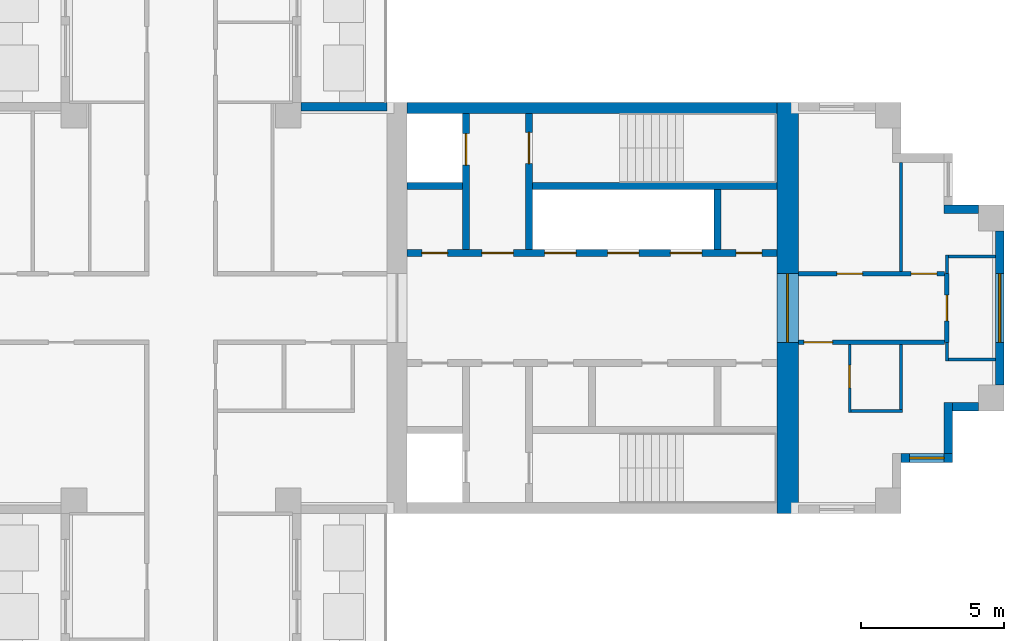
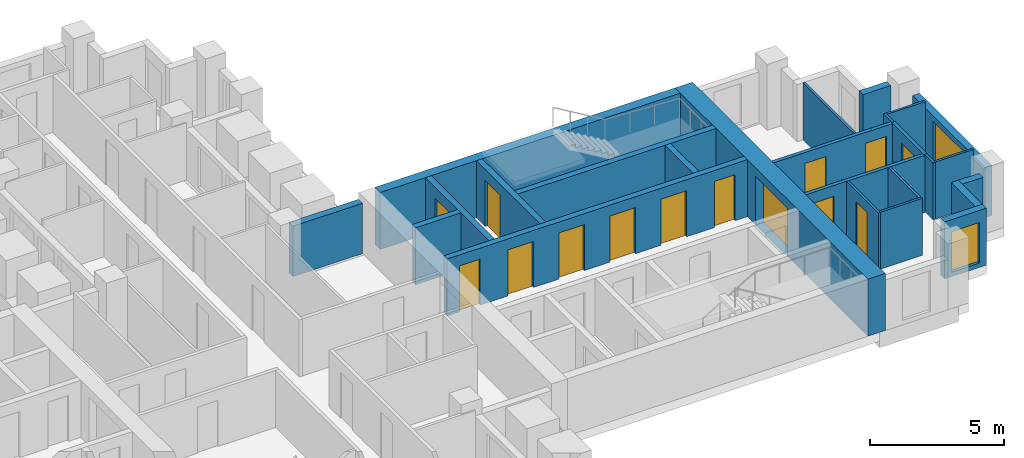
# One storey, part 6 of 10: 25 walls, 14 doors, 2 windows, 16 openings.
"""IFC4 building model written with IfcOpenShell, lengths in metres."""

from ifc_helpers import new_model, si_unit, direction, frame, frame_2d, origin, place, context, subcontext, project, spatial, rectangle, extrude, material, layer, layer_set, type_object, element, fill, save


model = new_model("IFC4")

# Units and contexts
model_context = context("Model", 3, precision=1e-05, world=origin(), true_north=direction((0.0, 1.0)))
body_context = subcontext(model_context, "Body", "Model", "MODEL_VIEW")
ifc_project = project(units=[si_unit("LENGTHUNIT", "METRE"), si_unit("AREAUNIT", "SQUARE_METRE"), si_unit("VOLUMEUNIT", "CUBIC_METRE"), si_unit("PLANEANGLEUNIT", "RADIAN"), si_unit("MASSUNIT", "GRAM", prefix="KILO")], contexts=[model_context])

# Site, building, storey
site_placement = place(None, origin())
site = spatial("IfcSite", under=ifc_project, at=site_placement, CompositionType="ELEMENT")
building_placement = place(site_placement, origin())
building = spatial("IfcBuilding", under=site, at=building_placement, Name="Fustian Cross Tower", CompositionType="ELEMENT")
storey_placement = place(building_placement, frame((0.0, 0.0, 213.89990234375)))
storey = spatial("IfcBuildingStorey", under=building, at=storey_placement, Name="L67", CompositionType="ELEMENT", Elevation=213.89990234375)

# Wall, opening, door
ifc_material_1 = material(Name="Plasterboard on steel stud", Category="steel")
ifc_layer_1 = layer(ifc_material_1, 0.14990234375)
ifc_layer_set_1 = layer_set([ifc_layer_1], Name="Plasterboard on steel stud")
wall_type_1 = type_object("IfcWallType", Name="COMPARTMENT WALL 150 EI 60", PredefinedType="PARTITIONING", material=ifc_layer_set_1)
wall_1_placement = place(storey_placement, frame((21.60009765625, -1.199951171875, 0.0), z_axis=(0.0, 0.0, 1.0), x_axis=(1.0, 0.0, 0.0)))
wall_1 = element("IfcWall", 1, at=wall_1_placement, inside=storey, type_object=wall_type_1, Name="Partition 52", PredefinedType="PARTITIONING", context=body_context, shape_type="SweptSolid", body=[
    extrude(rectangle(XDim=5.125, YDim=0.14990234375, at=frame_2d((2.5625, 0.0))), origin(), (0.0, 0.0, 1.0), 2.60009765625),
])
opening_1_placement = place(wall_1_placement, frame((0.199951171875, 0.0, 0.0)))
opening_1 = element("IfcOpeningElement", 2, at=opening_1_placement, cuts=wall_1, Name="Opening D30014", PredefinedType="OPENING", context=body_context, shape_type="SweptSolid", body=[
    extrude(rectangle(XDim=1.0, YDim=2.10009765625, at=frame_2d((0.5, 1.050048828125))), frame((0.0, 0.0849609375, 0.0), z_axis=(0.0, -1.0, 0.0), x_axis=(1.0, 0.0, 0.0)), (0.0, 0.0, 1.0), 0.169921875),
])
ifc_material_2 = material(Name="Timber fire door set", Category="wood")
door_type_1 = type_object("IfcDoorType", Name="FIRE SWING DOOR 1000 FD30S", OperationType="SINGLE_SWING_LEFT", PredefinedType="DOOR", material=ifc_material_2)
door_1_placement = place(opening_1_placement, frame((1.0, 0.0, 0.0), z_axis=(0.0, 0.0, 1.0), x_axis=(-1.0, 0.0, 0.0)))
door_1 = element("IfcDoor", 3, at=door_1_placement, inside=storey, type_object=door_type_1, Name="Door D30014", OperationType="SINGLE_SWING_RIGHT", OverallHeight=2.10009765625, OverallWidth=1.0, PredefinedType="DOOR", context=body_context, shape_type="SweptSolid", body=[
    extrude(rectangle(XDim=1.0, YDim=2.10009765625, at=frame_2d((0.5, 1.050048828125))), frame((0.0, 0.02490234375, 0.0), z_axis=(0.0, -1.0, 0.0), x_axis=(1.0, 0.0, 0.0)), (0.0, 0.0, 1.0), 0.050048828125),
])
fill(opening_1, door_1)

# Wall, openings, doors
wall_2_placement = place(storey_placement, frame((21.60009765625, 1.199951171875, 0.0), z_axis=(0.0, 0.0, 1.0), x_axis=(1.0, 0.0, 0.0)))
wall_2 = element("IfcWall", 4, at=wall_2_placement, inside=storey, type_object=wall_type_1, Name="Partition 53", PredefinedType="PARTITIONING", context=body_context, shape_type="SweptSolid", body=[
    extrude(rectangle(XDim=5.125, YDim=0.14990234375, at=frame_2d((2.5625, 0.0))), origin(), (0.0, 0.0, 1.0), 2.60009765625),
])
opening_2_placement = place(wall_2_placement, frame((1.35009765625, 0.0, 0.0)))
opening_2 = element("IfcOpeningElement", 5, at=opening_2_placement, cuts=wall_2, Name="Opening D30011", PredefinedType="OPENING", context=body_context, shape_type="SweptSolid", body=[
    extrude(rectangle(XDim=0.89990234375, YDim=2.10009765625, at=frame_2d((0.449951171875, 1.050048828125))), frame((0.0, 0.0849609375, 0.0), z_axis=(0.0, -1.0, 0.0), x_axis=(1.0, 0.0, 0.0)), (0.0, 0.0, 1.0), 0.169921875),
])
opening_3_placement = place(wall_2_placement, frame((3.949951171875, 0.0, 0.0)))
opening_3 = element("IfcOpeningElement", 6, at=opening_3_placement, cuts=wall_2, Name="Opening D30012", PredefinedType="OPENING", context=body_context, shape_type="SweptSolid", body=[
    extrude(rectangle(XDim=0.89990234375, YDim=2.10009765625, at=frame_2d((0.449951171875, 1.050048828125))), frame((0.0, 0.0849609375, 0.0), z_axis=(0.0, -1.0, 0.0), x_axis=(1.0, 0.0, 0.0)), (0.0, 0.0, 1.0), 0.169921875),
])
ifc_material_3 = material(Name="Timber fire door set", Category="wood")
door_type_2 = type_object("IfcDoorType", Name="FIRE SWING DOOR 900 FD30S", OperationType="SINGLE_SWING_LEFT", PredefinedType="DOOR", material=ifc_material_3)
door_2_placement = place(opening_2_placement, origin())
door_2 = element("IfcDoor", 7, at=door_2_placement, inside=storey, type_object=door_type_2, Name="Door D30011", OperationType="SINGLE_SWING_LEFT", OverallHeight=2.10009765625, OverallWidth=0.89990234375, PredefinedType="DOOR", context=body_context, shape_type="SweptSolid", body=[
    extrude(rectangle(XDim=0.89990234375, YDim=2.10009765625, at=frame_2d((0.449951171875, 1.050048828125))), frame((0.0, 0.02490234375, 0.0), z_axis=(0.0, -1.0, 0.0), x_axis=(1.0, 0.0, 0.0)), (0.0, 0.0, 1.0), 0.050048828125),
])
fill(opening_2, door_2)
door_3_placement = place(opening_3_placement, origin())
door_3 = element("IfcDoor", 8, at=door_3_placement, inside=storey, type_object=door_type_2, Name="Door D30012", OperationType="SINGLE_SWING_LEFT", OverallHeight=2.10009765625, OverallWidth=0.89990234375, PredefinedType="DOOR", context=body_context, shape_type="SweptSolid", body=[
    extrude(rectangle(XDim=0.89990234375, YDim=2.10009765625, at=frame_2d((0.449951171875, 1.050048828125))), frame((0.0, 0.02490234375, 0.0), z_axis=(0.0, -1.0, 0.0), x_axis=(1.0, 0.0, 0.0)), (0.0, 0.0, 1.0), 0.050048828125),
])
fill(opening_3, door_3)

# Wall, opening, door
wall_3_placement = place(storey_placement, frame((26.800048828125, -1.199951171875, 0.0), z_axis=(0.0, 0.0, 1.0), x_axis=(0.0, 1.0, 0.0)))
wall_3 = element("IfcWall", 9, at=wall_3_placement, inside=storey, type_object=wall_type_1, Name="Partition 60", PredefinedType="PARTITIONING", context=body_context, shape_type="SweptSolid", body=[
    extrude(rectangle(XDim=2.39990234375, YDim=0.14990234375, at=frame_2d((1.199951171875, 0.0))), origin(), (0.0, 0.0, 1.0), 2.60009765625),
])
opening_4_placement = place(wall_3_placement, frame((0.75, 0.0, 0.0)))
opening_4 = element("IfcOpeningElement", 10, at=opening_4_placement, cuts=wall_3, Name="Opening D30010", PredefinedType="OPENING", context=body_context, shape_type="SweptSolid", body=[
    extrude(rectangle(XDim=0.89990234375, YDim=2.10009765625, at=frame_2d((0.449951171875, 1.050048828125))), frame((0.0, 0.0849609375, 0.0), z_axis=(0.0, -1.0, 0.0), x_axis=(1.0, 0.0, 0.0)), (0.0, 0.0, 1.0), 0.169921875),
])
door_4_placement = place(opening_4_placement, frame((0.89990234375, 0.0, 0.0), z_axis=(0.0, 0.0, 1.0), x_axis=(-1.0, 0.0, 0.0)))
door_4 = element("IfcDoor", 11, at=door_4_placement, inside=storey, type_object=door_type_2, Name="Door D30010", OperationType="SINGLE_SWING_RIGHT", OverallHeight=2.10009765625, OverallWidth=0.89990234375, PredefinedType="DOOR", context=body_context, shape_type="SweptSolid", body=[
    extrude(rectangle(XDim=0.89990234375, YDim=2.10009765625, at=frame_2d((0.449951171875, 1.050048828125))), frame((0.0, 0.02490234375, 0.0), z_axis=(0.0, -1.0, 0.0), x_axis=(1.0, 0.0, 0.0)), (0.0, 0.0, 1.0), 0.050048828125),
])
fill(opening_4, door_4)

ifc_material_4 = material(Name="Concrete C50/60", Category="concrete")
ifc_layer_2 = layer(ifc_material_4, 0.75)
ifc_layer_set_2 = layer_set([ifc_layer_2], Name="Concrete C50/60")
wall_type_2 = type_object("IfcWallType", Name="CORE END WALL 750 C50/60", PredefinedType="SHEAR", material=ifc_layer_set_2)
wall_4_placement = place(storey_placement, frame((21.22509765625, -7.199951171875, 0.0), z_axis=(0.0, 0.0, 1.0), x_axis=(0.0, 1.0, 0.0)))
wall_4 = element("IfcWall", 12, at=wall_4_placement, inside=storey, type_object=wall_type_2, Name="Core end wall", PredefinedType="SHEAR", context=body_context, shape_type="SweptSolid", body=[
    extrude(rectangle(XDim=14.39990234375, YDim=0.75, at=frame_2d((7.199951171875, 0.0))), origin(), (0.0, 0.0, 1.0), 2.60009765625),
])
opening_5_placement = place(wall_4_placement, frame((6.0, 0.0, 0.0)))
opening_5 = element("IfcOpeningElement", 13, at=opening_5_placement, cuts=wall_4, Name="Opening CD-28-13", PredefinedType="OPENING", context=body_context, shape_type="SweptSolid", body=[
    extrude(rectangle(XDim=2.39990234375, YDim=2.199951171875, at=frame_2d((1.199951171875, 1.10009765625))), frame((0.0, 0.385009765625, 0.0), z_axis=(0.0, -1.0, 0.0), x_axis=(1.0, 0.0, 0.0)), (0.0, 0.0, 1.0), 0.77001953125),
])
ifc_material_5 = material(Name="Steel", Category="steel")
door_type_3 = type_object("IfcDoorType", Name="FIRE DOOR FD30S DOUBLE 2400X2200", OperationType="DOUBLE_DOOR_DOUBLE_SWING", PredefinedType="DOOR", material=ifc_material_5)
door_5_placement = place(opening_5_placement, origin())
door_5 = element("IfcDoor", 14, at=door_5_placement, inside=storey, type_object=door_type_3, Name="Core door CD-28-13", OperationType="DOUBLE_DOOR_DOUBLE_SWING", OverallHeight=2.199951171875, OverallWidth=2.39990234375, PredefinedType="DOOR", context=body_context, shape_type="SweptSolid", body=[
    extrude(rectangle(XDim=2.39990234375, YDim=2.199951171875, at=frame_2d((1.199951171875, 1.10009765625))), frame((0.0, 0.02490234375, 0.0), z_axis=(0.0, -1.0, 0.0), x_axis=(1.0, 0.0, 0.0)), (0.0, 0.0, 1.0), 0.050048828125),
])
fill(opening_5, door_5)

# Wall
ifc_material_6 = material(Name="Concrete C50/60", Category="concrete")
ifc_layer_3 = layer(ifc_material_6, 0.39990234375)
ifc_layer_set_3 = layer_set([ifc_layer_3], Name="Concrete C50/60")
wall_type_3 = type_object("IfcWallType", Name="CORE FACADE WALL 400 C50/60", PredefinedType="SHEAR", material=ifc_layer_set_3)
wall_5_placement = place(storey_placement, frame((7.89990234375, 7.0, 0.0), z_axis=(0.0, 0.0, 1.0), x_axis=(1.0, 0.0, 0.0)))
element("IfcWall", 15, at=wall_5_placement, inside=storey, type_object=wall_type_3, Name="Core facade wall", PredefinedType="SHEAR", context=body_context, shape_type="SweptSolid", body=[
    extrude(rectangle(XDim=12.9501953125, YDim=0.39990234375, at=frame_2d((6.47509765625, 0.0))), origin(), (0.0, 0.0, 1.0), 2.60009765625),
])

# Wall, openings, doors
ifc_material_7 = material(Name="Concrete C50/60", Category="concrete")
ifc_layer_4 = layer(ifc_material_7, 0.25)
ifc_layer_set_4 = layer_set([ifc_layer_4], Name="Concrete C50/60")
wall_type_4 = type_object("IfcWallType", Name="CORE LOBBY WALL 250 C50/60", PredefinedType="SHEAR", material=ifc_layer_set_4)
wall_6_placement = place(storey_placement, frame((7.89990234375, 1.925048828125, 0.0), z_axis=(0.0, 0.0, 1.0), x_axis=(1.0, 0.0, 0.0)))
wall_6 = element("IfcWall", 16, at=wall_6_placement, inside=storey, type_object=wall_type_4, Name="Core lobby wall", PredefinedType="SHEAR", context=body_context, shape_type="SweptSolid", body=[
    extrude(rectangle(XDim=12.9501953125, YDim=0.25, at=frame_2d((6.47509765625, 0.0))), origin(), (0.0, 0.0, 1.0), 2.60009765625),
])
opening_6_placement = place(wall_6_placement, frame((4.824951171875, 0.0, 0.0)))
opening_6 = element("IfcOpeningElement", 17, at=opening_6_placement, cuts=wall_6, Name="Opening LD", PredefinedType="OPENING", context=body_context, shape_type="SweptSolid", body=[
    extrude(rectangle(XDim=1.10009765625, YDim=2.10009765625, at=frame_2d((0.550048828125, 1.050048828125))), frame((0.0, 0.135009765625, 0.0), z_axis=(0.0, -1.0, 0.0), x_axis=(1.0, 0.0, 0.0)), (0.0, 0.0, 1.0), 0.27001953125),
])
opening_7_placement = place(wall_6_placement, frame((7.02490234375, 0.0, 0.0)))
opening_7 = element("IfcOpeningElement", 18, at=opening_7_placement, cuts=wall_6, Name="Opening LD", PredefinedType="OPENING", context=body_context, shape_type="SweptSolid", body=[
    extrude(rectangle(XDim=1.10009765625, YDim=2.10009765625, at=frame_2d((0.550048828125, 1.050048828125))), frame((0.0, 0.135009765625, 0.0), z_axis=(0.0, -1.0, 0.0), x_axis=(1.0, 0.0, 0.0)), (0.0, 0.0, 1.0), 0.27001953125),
])
opening_8_placement = place(wall_6_placement, frame((9.22509765625, 0.0, 0.0)))
opening_8 = element("IfcOpeningElement", 19, at=opening_8_placement, cuts=wall_6, Name="Opening LD", PredefinedType="OPENING", context=body_context, shape_type="SweptSolid", body=[
    extrude(rectangle(XDim=1.10009765625, YDim=2.10009765625, at=frame_2d((0.550048828125, 1.050048828125))), frame((0.0, 0.135009765625, 0.0), z_axis=(0.0, -1.0, 0.0), x_axis=(1.0, 0.0, 0.0)), (0.0, 0.0, 1.0), 0.27001953125),
])
opening_9_placement = place(wall_6_placement, frame((0.52490234375, 0.0, 0.0)))
opening_9 = element("IfcOpeningElement", 20, at=opening_9_placement, cuts=wall_6, Name="Opening CD-28-08", PredefinedType="OPENING", context=body_context, shape_type="SweptSolid", body=[
    extrude(rectangle(XDim=0.89990234375, YDim=2.10009765625, at=frame_2d((0.449951171875, 1.050048828125))), frame((0.0, 0.135009765625, 0.0), z_axis=(0.0, -1.0, 0.0), x_axis=(1.0, 0.0, 0.0)), (0.0, 0.0, 1.0), 0.27001953125),
])
opening_10_placement = place(wall_6_placement, frame((2.625, 0.0, 0.0)))
opening_10 = element("IfcOpeningElement", 21, at=opening_10_placement, cuts=wall_6, Name="Opening CD-28-10", PredefinedType="OPENING", context=body_context, shape_type="SweptSolid", body=[
    extrude(rectangle(XDim=1.10009765625, YDim=2.10009765625, at=frame_2d((0.550048828125, 1.050048828125))), frame((0.0, 0.135009765625, 0.0), z_axis=(0.0, -1.0, 0.0), x_axis=(1.0, 0.0, 0.0)), (0.0, 0.0, 1.0), 0.27001953125),
])
opening_11_placement = place(wall_6_placement, frame((11.52490234375, 0.0, 0.0)))
opening_11 = element("IfcOpeningElement", 22, at=opening_11_placement, cuts=wall_6, Name="Opening CD-28-14", PredefinedType="OPENING", context=body_context, shape_type="SweptSolid", body=[
    extrude(rectangle(XDim=0.89990234375, YDim=2.10009765625, at=frame_2d((0.449951171875, 1.050048828125))), frame((0.0, 0.135009765625, 0.0), z_axis=(0.0, -1.0, 0.0), x_axis=(1.0, 0.0, 0.0)), (0.0, 0.0, 1.0), 0.27001953125),
])
ifc_material_8 = material(Name="Steel", Category="steel")
door_type_4 = type_object("IfcDoorType", Name="FIRE DOOR FD30S 900X2100", OperationType="SINGLE_SWING_LEFT", PredefinedType="DOOR", material=ifc_material_8)
door_6_placement = place(opening_11_placement, origin())
door_6 = element("IfcDoor", 23, at=door_6_placement, inside=storey, type_object=door_type_4, Name="Core door CD-28-14", OperationType="SINGLE_SWING_LEFT", OverallHeight=2.10009765625, OverallWidth=0.89990234375, PredefinedType="DOOR", context=body_context, shape_type="SweptSolid", body=[
    extrude(rectangle(XDim=0.89990234375, YDim=2.10009765625, at=frame_2d((0.449951171875, 1.050048828125))), frame((0.0, 0.02490234375, 0.0), z_axis=(0.0, -1.0, 0.0), x_axis=(1.0, 0.0, 0.0)), (0.0, 0.0, 1.0), 0.050048828125),
])
fill(opening_11, door_6)
ifc_material_9 = material(Name="Steel", Category="steel")
door_type_5 = type_object("IfcDoorType", Name="FIRE DOOR FD60S 1100X2100", OperationType="SINGLE_SWING_LEFT", PredefinedType="DOOR", material=ifc_material_9)
door_7_placement = place(opening_10_placement, frame((1.10009765625, 0.0, 0.0), z_axis=(0.0, 0.0, 1.0), x_axis=(-1.0, 0.0, 0.0)))
door_7 = element("IfcDoor", 24, at=door_7_placement, inside=storey, type_object=door_type_5, Name="Core door CD-28-10", OperationType="SINGLE_SWING_RIGHT", OverallHeight=2.10009765625, OverallWidth=1.10009765625, PredefinedType="DOOR", context=body_context, shape_type="SweptSolid", body=[
    extrude(rectangle(XDim=1.10009765625, YDim=2.10009765625, at=frame_2d((0.550048828125, 1.050048828125))), frame((0.0, 0.02490234375, 0.0), z_axis=(0.0, -1.0, 0.0), x_axis=(1.0, 0.0, 0.0)), (0.0, 0.0, 1.0), 0.050048828125),
])
fill(opening_10, door_7)
ifc_material_10 = material(Name="Steel", Category="steel")
door_type_6 = type_object("IfcDoorType", Name="FIRE DOOR FD60S 900X2100", OperationType="SINGLE_SWING_LEFT", PredefinedType="DOOR", material=ifc_material_10)
door_8_placement = place(opening_9_placement, origin())
door_8 = element("IfcDoor", 25, at=door_8_placement, inside=storey, type_object=door_type_6, Name="Core door CD-28-08", OperationType="SINGLE_SWING_LEFT", OverallHeight=2.10009765625, OverallWidth=0.89990234375, PredefinedType="DOOR", context=body_context, shape_type="SweptSolid", body=[
    extrude(rectangle(XDim=0.89990234375, YDim=2.10009765625, at=frame_2d((0.449951171875, 1.050048828125))), frame((0.0, 0.02490234375, 0.0), z_axis=(0.0, -1.0, 0.0), x_axis=(1.0, 0.0, 0.0)), (0.0, 0.0, 1.0), 0.050048828125),
])
fill(opening_9, door_8)
ifc_material_11 = material(Name="Stainless steel", Category="steel")
door_type_7 = type_object("IfcDoorType", Name="LIFT LANDING DOOR 1100X2100", OperationType="SLIDING_TO_LEFT", PredefinedType="DOOR", material=ifc_material_11)
door_9_placement = place(opening_6_placement, origin())
door_9 = element("IfcDoor", 26, at=door_9_placement, inside=storey, type_object=door_type_7, Name="Landing door HR1", OperationType="SLIDING_TO_LEFT", OverallHeight=2.10009765625, OverallWidth=1.10009765625, PredefinedType="DOOR", context=body_context, shape_type="SweptSolid", body=[
    extrude(rectangle(XDim=1.10009765625, YDim=2.10009765625, at=frame_2d((0.550048828125, 1.050048828125))), frame((0.0, 0.02490234375, 0.0), z_axis=(0.0, -1.0, 0.0), x_axis=(1.0, 0.0, 0.0)), (0.0, 0.0, 1.0), 0.050048828125),
])
fill(opening_6, door_9)
door_10_placement = place(opening_7_placement, origin())
door_10 = element("IfcDoor", 27, at=door_10_placement, inside=storey, type_object=door_type_7, Name="Landing door HR2", OperationType="SLIDING_TO_LEFT", OverallHeight=2.10009765625, OverallWidth=1.10009765625, PredefinedType="DOOR", context=body_context, shape_type="SweptSolid", body=[
    extrude(rectangle(XDim=1.10009765625, YDim=2.10009765625, at=frame_2d((0.550048828125, 1.050048828125))), frame((0.0, 0.02490234375, 0.0), z_axis=(0.0, -1.0, 0.0), x_axis=(1.0, 0.0, 0.0)), (0.0, 0.0, 1.0), 0.050048828125),
])
fill(opening_7, door_10)
door_11_placement = place(opening_8_placement, origin())
door_11 = element("IfcDoor", 28, at=door_11_placement, inside=storey, type_object=door_type_7, Name="Landing door HR3", OperationType="SLIDING_TO_LEFT", OverallHeight=2.10009765625, OverallWidth=1.10009765625, PredefinedType="DOOR", context=body_context, shape_type="SweptSolid", body=[
    extrude(rectangle(XDim=1.10009765625, YDim=2.10009765625, at=frame_2d((0.550048828125, 1.050048828125))), frame((0.0, 0.02490234375, 0.0), z_axis=(0.0, -1.0, 0.0), x_axis=(1.0, 0.0, 0.0)), (0.0, 0.0, 1.0), 0.050048828125),
])
fill(opening_8, door_11)

# Walls
ifc_material_12 = material(Name="Concrete C50/60", Category="concrete")
ifc_layer_5 = layer(ifc_material_12, 0.25)
ifc_layer_set_5 = layer_set([ifc_layer_5], Name="Concrete C50/60")
wall_type_5 = type_object("IfcWallType", Name="CORE SHAFT WALL 250 C50/60", PredefinedType="SHEAR", material=ifc_layer_set_5)
wall_7_placement = place(storey_placement, frame((7.89990234375, 4.27490234375, 0.0), z_axis=(0.0, 0.0, 1.0), x_axis=(1.0, 0.0, 0.0)))
element("IfcWall", 29, at=wall_7_placement, inside=storey, type_object=wall_type_5, Name="Core shaft wall", PredefinedType="SHEAR", context=body_context, shape_type="SweptSolid", body=[
    extrude(rectangle(XDim=1.9501953125, YDim=0.25, at=frame_2d((0.97509765625, 0.0))), origin(), (0.0, 0.0, 1.0), 2.60009765625),
])
wall_8_placement = place(storey_placement, frame((12.300048828125, 4.27490234375, 0.0), z_axis=(0.0, 0.0, 1.0), x_axis=(1.0, 0.0, 0.0)))
element("IfcWall", 30, at=wall_8_placement, inside=storey, type_object=wall_type_5, Name="Core shaft wall", PredefinedType="SHEAR", context=body_context, shape_type="SweptSolid", body=[
    extrude(rectangle(XDim=8.550048828125, YDim=0.25, at=frame_2d((4.27490234375, 0.0))), origin(), (0.0, 0.0, 1.0), 2.60009765625),
])

# Wall, opening, door
wall_9_placement = place(storey_placement, frame((9.97509765625, 2.050048828125, 0.0), z_axis=(0.0, 0.0, 1.0), x_axis=(0.0, 1.0, 0.0)))
wall_9 = element("IfcWall", 31, at=wall_9_placement, inside=storey, type_object=wall_type_5, Name="Core shaft wall", PredefinedType="SHEAR", context=body_context, shape_type="SweptSolid", body=[
    extrude(rectangle(XDim=4.75, YDim=0.25, at=frame_2d((2.375, 0.0))), origin(), (0.0, 0.0, 1.0), 2.60009765625),
])
opening_12_placement = place(wall_9_placement, frame((2.949951171875, 0.0, 0.0)))
opening_12 = element("IfcOpeningElement", 32, at=opening_12_placement, cuts=wall_9, Name="Opening LD", PredefinedType="OPENING", context=body_context, shape_type="SweptSolid", body=[
    extrude(rectangle(XDim=1.10009765625, YDim=2.10009765625, at=frame_2d((0.550048828125, 1.050048828125))), frame((0.0, 0.135009765625, 0.0), z_axis=(0.0, -1.0, 0.0), x_axis=(1.0, 0.0, 0.0)), (0.0, 0.0, 1.0), 0.27001953125),
])
door_12_placement = place(opening_12_placement, origin())
door_12 = element("IfcDoor", 33, at=door_12_placement, inside=storey, type_object=door_type_7, Name="Landing door FL1", OperationType="SLIDING_TO_LEFT", OverallHeight=2.10009765625, OverallWidth=1.10009765625, PredefinedType="DOOR", context=body_context, shape_type="SweptSolid", body=[
    extrude(rectangle(XDim=1.10009765625, YDim=2.10009765625, at=frame_2d((0.550048828125, 1.050048828125))), frame((0.0, 0.02490234375, 0.0), z_axis=(0.0, -1.0, 0.0), x_axis=(1.0, 0.0, 0.0)), (0.0, 0.0, 1.0), 0.050048828125),
])
fill(opening_12, door_12)

wall_10_placement = place(storey_placement, frame((12.175048828125, 2.050048828125, 0.0), z_axis=(0.0, 0.0, 1.0), x_axis=(0.0, 1.0, 0.0)))
wall_10 = element("IfcWall", 34, at=wall_10_placement, inside=storey, type_object=wall_type_5, Name="Core shaft wall", PredefinedType="SHEAR", context=body_context, shape_type="SweptSolid", body=[
    extrude(rectangle(XDim=4.75, YDim=0.25, at=frame_2d((2.375, 0.0))), origin(), (0.0, 0.0, 1.0), 2.60009765625),
])
opening_13_placement = place(wall_10_placement, frame((3.0, 0.0, 0.0)))
opening_13 = element("IfcOpeningElement", 35, at=opening_13_placement, cuts=wall_10, Name="Opening CD-28-06", PredefinedType="OPENING", context=body_context, shape_type="SweptSolid", body=[
    extrude(rectangle(XDim=1.10009765625, YDim=2.10009765625, at=frame_2d((0.550048828125, 1.050048828125))), frame((0.0, 0.135009765625, 0.0), z_axis=(0.0, -1.0, 0.0), x_axis=(1.0, 0.0, 0.0)), (0.0, 0.0, 1.0), 0.27001953125),
])
door_13_placement = place(opening_13_placement, frame((1.10009765625, 0.0, 0.0), z_axis=(0.0, 0.0, 1.0), x_axis=(-1.0, 0.0, 0.0)))
door_13 = element("IfcDoor", 36, at=door_13_placement, inside=storey, type_object=door_type_5, Name="Core door CD-28-06", OperationType="SINGLE_SWING_RIGHT", OverallHeight=2.10009765625, OverallWidth=1.10009765625, PredefinedType="DOOR", context=body_context, shape_type="SweptSolid", body=[
    extrude(rectangle(XDim=1.10009765625, YDim=2.10009765625, at=frame_2d((0.550048828125, 1.050048828125))), frame((0.0, 0.02490234375, 0.0), z_axis=(0.0, -1.0, 0.0), x_axis=(1.0, 0.0, 0.0)), (0.0, 0.0, 1.0), 0.050048828125),
])
fill(opening_13, door_13)

ifc_material_13 = material(Name="Plasterboard on steel stud", Category="steel")
ifc_layer_6 = layer(ifc_material_13, 0.10009765625)
ifc_layer_set_6 = layer_set([ifc_layer_6], Name="Plasterboard on steel stud")
wall_type_6 = type_object("IfcWallType", Name="PARTITION 100 STUD", PredefinedType="PARTITIONING", material=ifc_layer_set_6)
wall_11_placement = place(storey_placement, frame((23.39990234375, -3.64990234375, 0.0), z_axis=(0.0, 0.0, 1.0), x_axis=(0.0, 1.0, 0.0)))
wall_11 = element("IfcWall", 37, at=wall_11_placement, inside=storey, type_object=wall_type_6, Name="Partition 54", PredefinedType="PARTITIONING", context=body_context, shape_type="SweptSolid", body=[
    extrude(rectangle(XDim=2.375, YDim=0.10009765625, at=frame_2d((1.1875, 0.0))), origin(), (0.0, 0.0, 1.0), 2.60009765625),
])
opening_14_placement = place(wall_11_placement, frame((0.85009765625, 0.0, 0.0)))
opening_14 = element("IfcOpeningElement", 38, at=opening_14_placement, cuts=wall_11, Name="Opening D30013", PredefinedType="OPENING", context=body_context, shape_type="SweptSolid", body=[
    extrude(rectangle(XDim=0.800048828125, YDim=2.10009765625, at=frame_2d((0.39990234375, 1.050048828125))), frame((0.0, 0.06005859375, 0.0), z_axis=(0.0, -1.0, 0.0), x_axis=(1.0, 0.0, 0.0)), (0.0, 0.0, 1.0), 0.1201171875),
])
ifc_material_14 = material(Name="Painted timber", Category="wood")
door_type_8 = type_object("IfcDoorType", Name="SWING DOOR 800", OperationType="SINGLE_SWING_LEFT", PredefinedType="DOOR", material=ifc_material_14)
door_14_placement = place(opening_14_placement, frame((0.800048828125, 0.0, 0.0), z_axis=(0.0, 0.0, 1.0), x_axis=(-1.0, 0.0, 0.0)))
door_14 = element("IfcDoor", 39, at=door_14_placement, inside=storey, type_object=door_type_8, Name="Door D30013", OperationType="SINGLE_SWING_RIGHT", OverallHeight=2.10009765625, OverallWidth=0.800048828125, PredefinedType="DOOR", context=body_context, shape_type="SweptSolid", body=[
    extrude(rectangle(XDim=0.800048828125, YDim=2.10009765625, at=frame_2d((0.39990234375, 1.050048828125))), frame((0.0, 0.02490234375, 0.0), z_axis=(0.0, -1.0, 0.0), x_axis=(1.0, 0.0, 0.0)), (0.0, 0.0, 1.0), 0.050048828125),
])
fill(opening_14, door_14)

# Walls
wall_12_placement = place(storey_placement, frame((23.449951171875, -3.60009765625, 0.0), z_axis=(0.0, 0.0, 1.0), x_axis=(1.0, 0.0, 0.0)))
element("IfcWall", 40, at=wall_12_placement, inside=storey, type_object=wall_type_6, Name="Partition 55", PredefinedType="PARTITIONING", context=body_context, shape_type="SweptSolid", body=[
    extrude(rectangle(XDim=1.800048828125, YDim=0.10009765625, at=frame_2d((0.89990234375, 0.0))), origin(), (0.0, 0.0, 1.0), 2.60009765625),
])
wall_13_placement = place(storey_placement, frame((25.199951171875, -3.550048828125, 0.0), z_axis=(0.0, 0.0, 1.0), x_axis=(0.0, 1.0, 0.0)))
element("IfcWall", 41, at=wall_13_placement, inside=storey, type_object=wall_type_6, Name="Partition 56", PredefinedType="PARTITIONING", context=body_context, shape_type="SweptSolid", body=[
    extrude(rectangle(XDim=2.275146484375, YDim=0.10009765625, at=frame_2d((1.1376953125, 0.0))), origin(), (0.0, 0.0, 1.0), 2.60009765625),
])
wall_14_placement = place(storey_placement, frame((25.199951171875, 1.27490234375, 0.0), z_axis=(0.0, 0.0, 1.0), x_axis=(0.0, 1.0, 0.0)))
element("IfcWall", 42, at=wall_14_placement, inside=storey, type_object=wall_type_6, Name="Partition 57", PredefinedType="PARTITIONING", context=body_context, shape_type="SweptSolid", body=[
    extrude(rectangle(XDim=3.8251953125, YDim=0.10009765625, at=frame_2d((1.91259765625, 0.0))), origin(), (0.0, 0.0, 1.0), 2.60009765625),
])
wall_15_placement = place(storey_placement, frame((26.800048828125, -1.85009765625, 0.0), z_axis=(0.0, 0.0, 1.0), x_axis=(0.0, 1.0, 0.0)))
element("IfcWall", 43, at=wall_15_placement, inside=storey, type_object=wall_type_6, Name="Partition 58", PredefinedType="PARTITIONING", context=body_context, shape_type="SweptSolid", body=[
    extrude(rectangle(XDim=0.650146484375, YDim=0.10009765625, at=frame_2d((0.3251953125, 0.0))), origin(), (0.0, 0.0, 1.0), 2.60009765625),
])
wall_16_placement = place(storey_placement, frame((26.85009765625, -1.800048828125, 0.0), z_axis=(0.0, 0.0, 1.0), x_axis=(1.0, 0.0, 0.0)))
element("IfcWall", 44, at=wall_16_placement, inside=storey, type_object=wall_type_6, Name="Partition 59", PredefinedType="PARTITIONING", context=body_context, shape_type="SweptSolid", body=[
    extrude(rectangle(XDim=1.64990234375, YDim=0.10009765625, at=frame_2d((0.824951171875, 0.0))), origin(), (0.0, 0.0, 1.0), 2.60009765625),
])
wall_17_placement = place(storey_placement, frame((26.800048828125, 1.199951171875, 0.0), z_axis=(0.0, 0.0, 1.0), x_axis=(0.0, 1.0, 0.0)))
element("IfcWall", 45, at=wall_17_placement, inside=storey, type_object=wall_type_6, Name="Partition 61", PredefinedType="PARTITIONING", context=body_context, shape_type="SweptSolid", body=[
    extrude(rectangle(XDim=0.650146484375, YDim=0.10009765625, at=frame_2d((0.3251953125, 0.0))), origin(), (0.0, 0.0, 1.0), 2.60009765625),
])
wall_18_placement = place(storey_placement, frame((26.85009765625, 1.800048828125, 0.0), z_axis=(0.0, 0.0, 1.0), x_axis=(1.0, 0.0, 0.0)))
element("IfcWall", 46, at=wall_18_placement, inside=storey, type_object=wall_type_6, Name="Partition 62", PredefinedType="PARTITIONING", context=body_context, shape_type="SweptSolid", body=[
    extrude(rectangle(XDim=1.64990234375, YDim=0.10009765625, at=frame_2d((0.824951171875, 0.0))), origin(), (0.0, 0.0, 1.0), 2.60009765625),
])
ifc_material_15 = material(Name="Concrete C40/50", Category="concrete")
ifc_layer_7 = layer(ifc_material_15, 0.25)
ifc_layer_set_7 = layer_set([ifc_layer_7], Name="Concrete C40/50")
wall_type_7 = type_object("IfcWallType", Name="SHAFT PARTITION WALL 250 C40/50", PredefinedType="PARTITIONING", material=ifc_layer_set_7)
wall_19_placement = place(storey_placement, frame((18.77490234375, 2.050048828125, 0.0), z_axis=(0.0, 0.0, 1.0), x_axis=(0.0, 1.0, 0.0)))
element("IfcWall", 47, at=wall_19_placement, inside=storey, type_object=wall_type_7, Name="Core shaft wall", PredefinedType="PARTITIONING", context=body_context, shape_type="SweptSolid", body=[
    extrude(rectangle(XDim=2.099853515625, YDim=0.25, at=frame_2d((1.0498046875, 0.0))), origin(), (0.0, 0.0, 1.0), 2.60009765625),
])

# Wall, opening, window
ifc_material_16 = material(Name="Dark aluminium cladding on insulated backing wall", Category="aluminium")
ifc_layer_8 = layer(ifc_material_16, 0.300048828125)
ifc_layer_set_8 = layer_set([ifc_layer_8], Name="Dark aluminium cladding on insulated backing wall")
wall_type_8 = type_object("IfcWallType", Name="XW1 EXTERNAL WALL 300", PredefinedType="SOLIDWALL", material=ifc_layer_set_8)
wall_20_placement = place(storey_placement, frame((25.199951171875, -5.25, 0.0), z_axis=(0.0, 0.0, 1.0), x_axis=(1.0, 0.0, 0.0)))
wall_20 = element("IfcWall", 48, at=wall_20_placement, inside=storey, type_object=wall_type_8, Name="External wall", PredefinedType="SOLIDWALL", context=body_context, shape_type="SweptSolid", body=[
    extrude(rectangle(XDim=1.800048828125, YDim=0.300048828125, at=frame_2d((0.89990234375, 0.0))), origin(), (0.0, 0.0, 1.0), 2.60009765625),
])
opening_15_placement = place(wall_20_placement, frame((0.300048828125, 0.0, 0.199951171875)))
opening_15 = element("IfcOpeningElement", 49, at=opening_15_placement, cuts=wall_20, Name="Opening WN3", PredefinedType="OPENING", context=body_context, shape_type="SweptSolid", body=[
    extrude(rectangle(XDim=1.199951171875, YDim=1.85009765625, at=frame_2d((0.60009765625, 0.925048828125))), frame((0.0, 0.159912109375, 0.0), z_axis=(0.0, -1.0, 0.0), x_axis=(1.0, 0.0, 0.0)), (0.0, 0.0, 1.0), 0.320068359375),
])
ifc_material_17 = material(Name="Dark anodised aluminium and double glazing", Category="aluminium")
window_type_1 = type_object("IfcWindowType", Name="WN3 WINDOW 1200X1850", PartitioningType="SINGLE_PANEL", PredefinedType="WINDOW", material=ifc_material_17)
window_1_placement = place(opening_15_placement, origin())
window_1 = element("IfcWindow", 50, at=window_1_placement, inside=storey, type_object=window_type_1, Name="Window", OverallHeight=1.85009765625, OverallWidth=1.199951171875, PartitioningType="SINGLE_PANEL", PredefinedType="WINDOW", context=body_context, shape_type="SweptSolid", body=[
    extrude(rectangle(XDim=1.199951171875, YDim=1.85009765625, at=frame_2d((0.60009765625, 0.925048828125))), frame((0.0, 0.030029296875, 0.0), z_axis=(0.0, -1.0, 0.0), x_axis=(1.0, 0.0, 0.0)), (0.0, 0.0, 1.0), 0.06005859375),
])
fill(opening_15, window_1)

# Walls
wall_21_placement = place(storey_placement, frame((26.85009765625, -5.10009765625, 0.0), z_axis=(0.0, 0.0, 1.0), x_axis=(0.0, 1.0, 0.0)))
element("IfcWall", 51, at=wall_21_placement, inside=storey, type_object=wall_type_8, Name="External wall", PredefinedType="SOLIDWALL", context=body_context, shape_type="SweptSolid", body=[
    extrude(rectangle(XDim=1.800048828125, YDim=0.300048828125, at=frame_2d((0.89990234375, 0.0))), origin(), (0.0, 0.0, 1.0), 2.60009765625),
])
wall_22_placement = place(storey_placement, frame((27.0, -3.449951171875, 0.0), z_axis=(0.0, 0.0, 1.0), x_axis=(1.0, 0.0, 0.0)))
element("IfcWall", 52, at=wall_22_placement, inside=storey, type_object=wall_type_8, Name="External wall", PredefinedType="SOLIDWALL", context=body_context, shape_type="SweptSolid", body=[
    extrude(rectangle(XDim=0.89990234375, YDim=0.300048828125, at=frame_2d((0.449951171875, 0.0))), origin(), (0.0, 0.0, 1.0), 2.60009765625),
])

# Wall, opening, window
wall_23_placement = place(storey_placement, frame((28.64990234375, -2.699951171875, 0.0), z_axis=(0.0, 0.0, 1.0), x_axis=(0.0, 1.0, 0.0)))
wall_23 = element("IfcWall", 53, at=wall_23_placement, inside=storey, type_object=wall_type_8, Name="External wall", PredefinedType="SOLIDWALL", context=body_context, shape_type="SweptSolid", body=[
    extrude(rectangle(XDim=5.39990234375, YDim=0.300048828125, at=frame_2d((2.699951171875, 0.0))), origin(), (0.0, 0.0, 1.0), 2.300048828125),
])
opening_16_placement = place(wall_23_placement, frame((1.5, 0.0, 0.199951171875)))
opening_16 = element("IfcOpeningElement", 54, at=opening_16_placement, cuts=wall_23, Name="Opening WN1", PredefinedType="OPENING", context=body_context, shape_type="SweptSolid", body=[
    extrude(rectangle(XDim=2.39990234375, YDim=1.85009765625, at=frame_2d((1.199951171875, 0.925048828125))), frame((0.0, 0.159912109375, 0.0), z_axis=(0.0, -1.0, 0.0), x_axis=(1.0, 0.0, 0.0)), (0.0, 0.0, 1.0), 0.320068359375),
])
ifc_material_18 = material(Name="Dark anodised aluminium and double glazing", Category="aluminium")
window_type_2 = type_object("IfcWindowType", Name="WN1 WINDOW 2400X1850", PartitioningType="SINGLE_PANEL", PredefinedType="WINDOW", material=ifc_material_18)
window_2_placement = place(opening_16_placement, origin())
window_2 = element("IfcWindow", 55, at=window_2_placement, inside=storey, type_object=window_type_2, Name="Window", OverallHeight=1.85009765625, OverallWidth=2.39990234375, PartitioningType="SINGLE_PANEL", PredefinedType="WINDOW", context=body_context, shape_type="SweptSolid", body=[
    extrude(rectangle(XDim=2.39990234375, YDim=1.85009765625, at=frame_2d((1.199951171875, 0.925048828125))), frame((0.0, 0.030029296875, 0.0), z_axis=(0.0, -1.0, 0.0), x_axis=(1.0, 0.0, 0.0)), (0.0, 0.0, 1.0), 0.06005859375),
])
fill(opening_16, window_2)

# Walls
wall_24_placement = place(storey_placement, frame((27.89990234375, 3.449951171875, 0.0), z_axis=(0.0, 0.0, 1.0), x_axis=(-1.0, 0.0, 0.0)))
element("IfcWall", 56, at=wall_24_placement, inside=storey, type_object=wall_type_8, Name="External wall", PredefinedType="SOLIDWALL", context=body_context, shape_type="SweptSolid", body=[
    extrude(rectangle(XDim=1.199951171875, YDim=0.300048828125, at=frame_2d((0.60009765625, 0.0))), origin(), (0.0, 0.0, 1.0), 2.60009765625),
])
wall_25_placement = place(storey_placement, frame((7.199951171875, 7.050048828125, 0.0), z_axis=(0.0, 0.0, 1.0), x_axis=(-1.0, 0.0, 0.0)))
element("IfcWall", 57, at=wall_25_placement, inside=storey, type_object=wall_type_8, Name="External wall", PredefinedType="SOLIDWALL", context=body_context, shape_type="SweptSolid", body=[
    extrude(rectangle(XDim=3.0, YDim=0.300048828125, at=frame_2d((1.5, 0.0))), origin(), (0.0, 0.0, 1.0), 2.300048828125),
])

save(model, "model.ifc")
